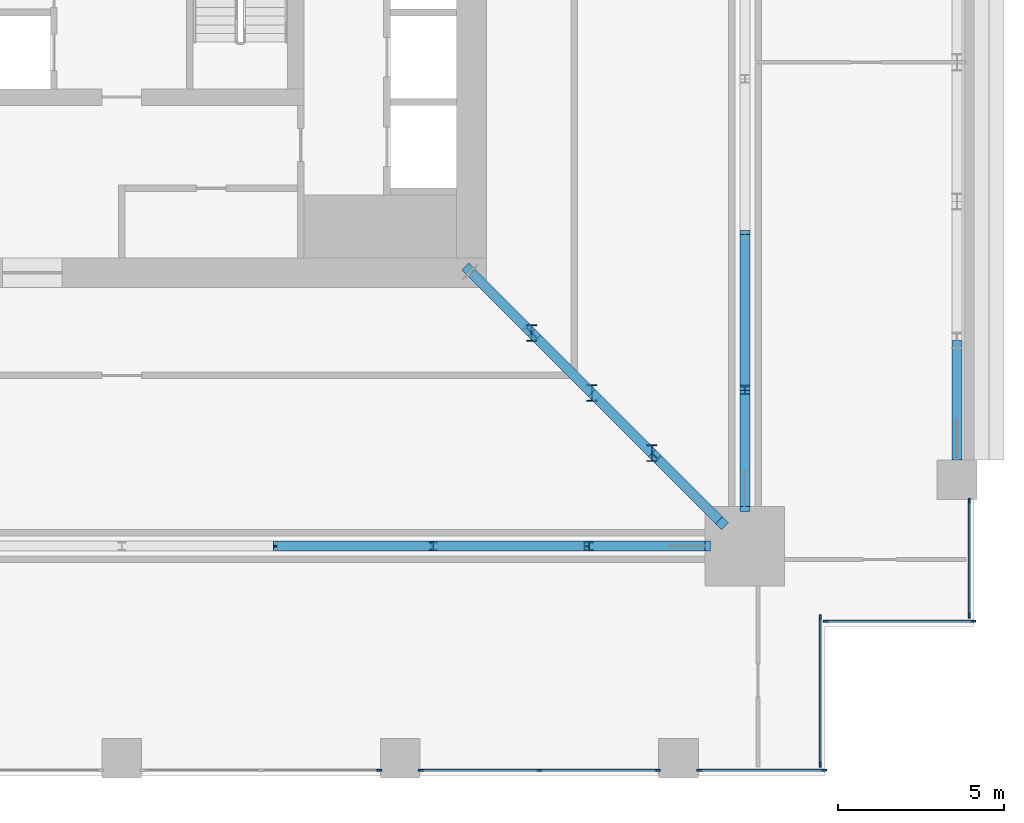
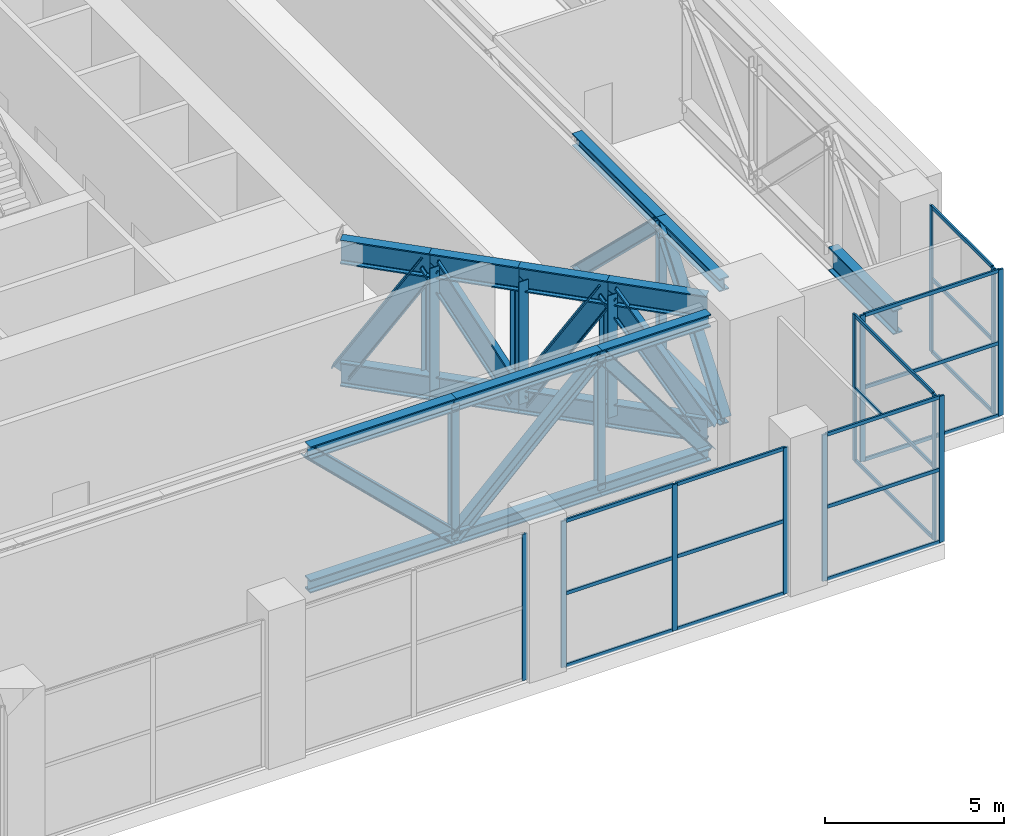
# One storey, part 5 of 21: 64 members, 6 elements without a shape of their own.
"""IFC4 building model written with IfcOpenShell, lengths in metres."""

from ifc_helpers import new_model, si_unit, direction, frame, origin, origin_2d, place, context, subcontext, project, spatial, rectangle, i_section, extrude, material, material_profile, profile_set, type_object, element, aggregate, save


model = new_model("IFC4")

# Units and contexts
model_context = context("Model", 3, precision=1e-05, world=origin(), true_north=direction((0.0, 1.0)))
body_context = subcontext(model_context, "Body", "Model", "MODEL_VIEW")
ifc_project = project(units=[si_unit("LENGTHUNIT", "METRE"), si_unit("AREAUNIT", "SQUARE_METRE"), si_unit("VOLUMEUNIT", "CUBIC_METRE"), si_unit("PLANEANGLEUNIT", "RADIAN"), si_unit("MASSUNIT", "GRAM", prefix="KILO")], contexts=[model_context])

# Site, building, storey
site_placement = place(None, origin())
site = spatial("IfcSite", under=ifc_project, at=site_placement, CompositionType="ELEMENT")
building_placement = place(site_placement, origin())
building = spatial("IfcBuilding", under=site, at=building_placement, Name="Khepri Terraces", CompositionType="ELEMENT")
storey_placement = place(building_placement, frame((0.0, 0.0, 235.199951171875)))
storey = spatial("IfcBuildingStorey", under=building, at=storey_placement, Name="L56", CompositionType="ELEMENT", Elevation=235.199951171875)

# Members
ifc_material_1 = material(Name="Steel S355", Category="steel")
ifc_material_profile_1 = material_profile(ifc_material_1, i_section(OverallWidth=0.306884765625, OverallDepth=0.431884765625, WebThickness=0.02099609375, FlangeThickness=0.0400390625, FilletRadius=0.027099609375, at=origin_2d()), Name="Steel S355", Category="steel")
ifc_profile_set_1 = profile_set([ifc_material_profile_1], Name="Steel S355")
member_type_1 = type_object("IfcMemberType", Name="Belt truss chord HEM 400", PredefinedType="CHORD", material=ifc_profile_set_1)
for number, where, z_axis, x_axis, name in (
    (1, (4.699951171875, -18.800048828125, 0.216064453125), (1.0, 0.0, 0.0), (0.0, 1.0, 0.0), "Belt truss chord BT-56-S bottom 6"),
    (2, (4.699951171875, -18.800048828125, 4.76416015625), (1.0, 0.0, 0.0), (0.0, 1.0, 0.0), "Belt truss chord BT-56-S top 6"),
):
    element("IfcMember", number, at=place(storey_placement, frame(where, z_axis=z_axis, x_axis=x_axis)), inside=storey, type_object=member_type_1, Name=name, PredefinedType="CHORD", context=body_context, shape_type="SweptSolid", body=[
        extrude(i_section(OverallWidth=0.306884765625, OverallDepth=0.431884765625, WebThickness=0.02099609375, FlangeThickness=0.0400390625, FilletRadius=0.027099609375, at=origin_2d()), origin(), (0.0, 0.0, 1.0), 4.699951171875),
    ])
for number, where, z_axis, x_axis, name in (
    (3, (9.39990234375, -18.800048828125, 0.216064453125), (1.0, 0.0, 0.0), (0.0, 1.0, 0.0), "Belt truss chord BT-56-S bottom 7"),
    (4, (9.39990234375, -18.800048828125, 4.76416015625), (1.0, 0.0, 0.0), (0.0, 1.0, 0.0), "Belt truss chord BT-56-S top 7"),
):
    element("IfcMember", number, at=place(storey_placement, frame(where, z_axis=z_axis, x_axis=x_axis)), inside=storey, type_object=member_type_1, Name=name, PredefinedType="CHORD", context=body_context, shape_type="SweptSolid", body=[
        extrude(i_section(OverallWidth=0.306884765625, OverallDepth=0.431884765625, WebThickness=0.02099609375, FlangeThickness=0.0400390625, FilletRadius=0.027099609375, at=origin_2d()), origin(), (0.0, 0.0, 1.0), 4.7001953125),
    ])
for number, where, z_axis, x_axis, name in (
    (5, (14.10009765625, -18.800048828125, 0.216064453125), (1.0, 0.0, 0.0), (0.0, 1.0, 0.0), "Belt truss chord BT-56-S bottom 8"),
    (6, (14.10009765625, -18.800048828125, 4.76416015625), (1.0, 0.0, 0.0), (0.0, 1.0, 0.0), "Belt truss chord BT-56-S top 8"),
    (7, (18.800048828125, -17.60009765625, 0.216064453125), (0.0, 1.0, 0.0), (-1.0, 0.0, 0.0), "Belt truss chord BT-56-E bottom 1"),
    (8, (18.800048828125, -17.60009765625, 4.76416015625), (0.0, 1.0, 0.0), (-1.0, 0.0, 0.0), "Belt truss chord BT-56-E top 1"),
):
    element("IfcMember", number, at=place(storey_placement, frame(where, z_axis=z_axis, x_axis=x_axis)), inside=storey, type_object=member_type_1, Name=name, PredefinedType="CHORD", context=body_context, shape_type="SweptSolid", body=[
        extrude(i_section(OverallWidth=0.306884765625, OverallDepth=0.431884765625, WebThickness=0.02099609375, FlangeThickness=0.0400390625, FilletRadius=0.027099609375, at=origin_2d()), origin(), (0.0, 0.0, 1.0), 3.5),
    ])
for number, where, z_axis, x_axis, name in (
    (9, (18.800048828125, -14.10009765625, 0.216064453125), (0.0, 1.0, 0.0), (-1.0, 0.0, 0.0), "Belt truss chord BT-56-E bottom 2"),
    (10, (18.800048828125, -14.10009765625, 4.76416015625), (0.0, 1.0, 0.0), (-1.0, 0.0, 0.0), "Belt truss chord BT-56-E top 2"),
):
    element("IfcMember", number, at=place(storey_placement, frame(where, z_axis=z_axis, x_axis=x_axis)), inside=storey, type_object=member_type_1, Name=name, PredefinedType="CHORD", context=body_context, shape_type="SweptSolid", body=[
        extrude(i_section(OverallWidth=0.306884765625, OverallDepth=0.431884765625, WebThickness=0.02099609375, FlangeThickness=0.0400390625, FilletRadius=0.027099609375, at=origin_2d()), origin(), (0.0, 0.0, 1.0), 4.7001953125),
    ])
ifc_material_profile_2 = material_profile(ifc_material_1, i_section(OverallWidth=0.300048828125, OverallDepth=0.39990234375, WebThickness=0.013427734375, FlangeThickness=0.02392578125, FilletRadius=0.027099609375, at=origin_2d()), Name="Steel S355", Category="steel")
ifc_profile_set_2 = profile_set([ifc_material_profile_2], Name="Steel S355")
member_type_2 = type_object("IfcMemberType", Name="Belt truss diagonal HEB 400", PredefinedType="BRACE", material=ifc_profile_set_2)
member_1_placement = place(storey_placement, frame((4.699951171875, -18.800048828125, 4.76416015625), z_axis=(0.718620795984, 0.0, -0.695402150974), x_axis=(0.0, 1.0, 0.0)))
element("IfcMember", 11, at=member_1_placement, inside=storey, type_object=member_type_2, Name="Belt truss diagonal BT-56-S 6", PredefinedType="BRACE", context=body_context, shape_type="SweptSolid", body=[
    extrude(i_section(OverallWidth=0.300048828125, OverallDepth=0.39990234375, WebThickness=0.013427734375, FlangeThickness=0.02392578125, FilletRadius=0.027099609375, at=origin_2d()), origin(), (0.0, 0.0, 1.0), 6.540283203125),
])
member_2_placement = place(storey_placement, frame((9.39990234375, -18.800048828125, 0.216064453125), z_axis=(0.718638846976, 0.0, 0.695383496796), x_axis=(0.0, 1.0, 0.0)))
element("IfcMember", 12, at=member_2_placement, inside=storey, type_object=member_type_2, Name="Belt truss diagonal BT-56-S 7", PredefinedType="BRACE", context=body_context, shape_type="SweptSolid", body=[
    extrude(i_section(OverallWidth=0.300048828125, OverallDepth=0.39990234375, WebThickness=0.013427734375, FlangeThickness=0.02392578125, FilletRadius=0.027099609375, at=origin_2d()), origin(), (0.0, 0.0, 1.0), 6.54052734375),
])
for number, where, z_axis, x_axis, name in (
    (13, (14.10009765625, -18.800048828125, 4.76416015625), (0.609871108259, 0.0, -0.792500619123), (0.0, 1.0, 0.0), "Belt truss diagonal BT-56-S 8"),
    (14, (18.800048828125, -17.60009765625, 0.216064453125), (0.0, 0.609871108259, 0.792500619123), (-1.0, 0.0, 0.0), "Belt truss diagonal BT-56-E 1"),
):
    element("IfcMember", number, at=place(storey_placement, frame(where, z_axis=z_axis, x_axis=x_axis)), inside=storey, type_object=member_type_2, Name=name, PredefinedType="BRACE", context=body_context, shape_type="SweptSolid", body=[
        extrude(i_section(OverallWidth=0.300048828125, OverallDepth=0.39990234375, WebThickness=0.013427734375, FlangeThickness=0.02392578125, FilletRadius=0.027099609375, at=origin_2d()), origin(), (0.0, 0.0, 1.0), 5.739013671875),
    ])
member_3_placement = place(storey_placement, frame((18.800048828125, -14.10009765625, 4.76416015625), z_axis=(0.0, 0.718638846976, -0.695383496796), x_axis=(-1.0, 0.0, 0.0)))
element("IfcMember", 15, at=member_3_placement, inside=storey, type_object=member_type_2, Name="Belt truss diagonal BT-56-E 2", PredefinedType="BRACE", context=body_context, shape_type="SweptSolid", body=[
    extrude(i_section(OverallWidth=0.300048828125, OverallDepth=0.39990234375, WebThickness=0.013427734375, FlangeThickness=0.02392578125, FilletRadius=0.027099609375, at=origin_2d()), origin(), (0.0, 0.0, 1.0), 6.54052734375),
])
ifc_material_profile_3 = material_profile(ifc_material_1, i_section(OverallWidth=0.239990234375, OverallDepth=0.239990234375, WebThickness=0.010009765625, FlangeThickness=0.01708984375, FilletRadius=0.02099609375, at=origin_2d()), Name="Steel S355", Category="steel")
ifc_profile_set_3 = profile_set([ifc_material_profile_3], Name="Steel S355")
member_type_3 = type_object("IfcMemberType", Name="Belt truss post HEB 240", PredefinedType="POST", material=ifc_profile_set_3)
for number, where, z_axis, x_axis, name in (
    (16, (9.39990234375, -18.800048828125, 0.216064453125), (0.0, 0.0, 1.0), (1.0, 0.0, 0.0), "Belt truss post BT-56-S 6"),
    (17, (14.10009765625, -18.800048828125, 0.216064453125), (0.0, 0.0, 1.0), (1.0, 0.0, 0.0), "Belt truss post BT-56-S 7"),
    (18, (18.800048828125, -14.10009765625, 0.216064453125), (0.0, 0.0, 1.0), (1.0, 0.0, 0.0), "Belt truss post BT-56-E 1"),
):
    element("IfcMember", number, at=place(storey_placement, frame(where, z_axis=z_axis, x_axis=x_axis)), inside=storey, type_object=member_type_3, Name=name, PredefinedType="POST", context=body_context, shape_type="SweptSolid", body=[
        extrude(i_section(OverallWidth=0.239990234375, OverallDepth=0.239990234375, WebThickness=0.010009765625, FlangeThickness=0.01708984375, FilletRadius=0.02099609375, at=origin_2d()), origin(), (0.0, 0.0, 1.0), 4.548095703125),
    ])

# Curtain wall, members
ifc_material_2 = material(Name="Anodised aluminium bronze curtain wall", Category="aluminium")
curtain_wall_type = type_object("IfcCurtainWallType", Name="CW-SYS3-SKY", PredefinedType="NOTDEFINED", material=ifc_material_2)
curtain_wall_1_placement = place(storey_placement, origin())
curtain_wall_1 = element("IfcCurtainWall", 19, at=curtain_wall_1_placement, inside=storey, type_object=curtain_wall_type, Name="Curtain wall CW3 L56 E", PredefinedType="NOTDEFINED")
ifc_material_3 = material(Name="Anodised aluminium bronze", Category="aluminium")
ifc_material_profile_4 = material_profile(ifc_material_3, rectangle(XDim=0.06005859375, YDim=0.159912109375, at=origin_2d()), Name="Anodised aluminium bronze", Category="aluminium")
ifc_profile_set_4 = profile_set([ifc_material_profile_4], Name="Anodised aluminium bronze")
member_type_4 = type_object("IfcMemberType", Name="CW-MULLION-60x160", PredefinedType="MULLION", material=ifc_profile_set_4)
member_4_placement = place(storey_placement, frame((25.570068359375, -20.889892578125, 0.0), z_axis=(0.0, 0.0, 1.0), x_axis=(-1.0, 0.0, 0.0)))
member_4 = element("IfcMember", 20, at=member_4_placement, type_object=member_type_4, Name="CW3 mullion 1", PredefinedType="MULLION", context=body_context, shape_type="SweptSolid", body=[
    extrude(rectangle(XDim=0.06005859375, YDim=0.159912109375, at=origin_2d()), origin(), (0.0, 0.0, 1.0), 4.97998046875),
])
member_5_placement = place(storey_placement, frame((25.570068359375, -17.429931640625, 0.0), z_axis=(0.0, 0.0, 1.0), x_axis=(-1.0, 0.0, 0.0)))
member_5 = element("IfcMember", 21, at=member_5_placement, type_object=member_type_4, Name="CW3 mullion 2", PredefinedType="MULLION", context=body_context, shape_type="SweptSolid", body=[
    extrude(rectangle(XDim=0.06005859375, YDim=0.159912109375, at=origin_2d()), origin(), (0.0, 0.0, 1.0), 4.97998046875),
])

# Curtain wall, member
curtain_wall_2_placement = place(storey_placement, origin())
curtain_wall_2 = element("IfcCurtainWall", 22, at=curtain_wall_2_placement, inside=storey, type_object=curtain_wall_type, Name="Curtain wall CW3 L56 S", PredefinedType="NOTDEFINED")
member_6_placement = place(storey_placement, frame((7.77001953125, -25.570068359375, 0.0), z_axis=(0.0, 0.0, 1.0), x_axis=(0.0, 1.0, 0.0)))
member_6 = element("IfcMember", 23, at=member_6_placement, type_object=member_type_4, Name="CW3 mullion 3", PredefinedType="MULLION", context=body_context, shape_type="SweptSolid", body=[
    extrude(rectangle(XDim=0.06005859375, YDim=0.159912109375, at=origin_2d()), origin(), (0.0, 0.0, 1.0), 4.97998046875),
])
aggregate(curtain_wall_2, [member_6])

# Curtain wall, members
curtain_wall_3_placement = place(storey_placement, origin())
curtain_wall_3 = element("IfcCurtainWall", 24, at=curtain_wall_3_placement, inside=storey, type_object=curtain_wall_type, Name="Curtain wall CW3 L56 S", PredefinedType="NOTDEFINED")
member_7_placement = place(storey_placement, frame((9.030029296875, -25.570068359375, 0.0), z_axis=(0.0, 0.0, 1.0), x_axis=(0.0, 1.0, 0.0)))
member_7 = element("IfcMember", 25, at=member_7_placement, type_object=member_type_4, Name="CW3 mullion 1", PredefinedType="MULLION", context=body_context, shape_type="SweptSolid", body=[
    extrude(rectangle(XDim=0.06005859375, YDim=0.159912109375, at=origin_2d()), origin(), (0.0, 0.0, 1.0), 4.97998046875),
])
member_8_placement = place(storey_placement, frame((12.60009765625, -25.570068359375, 0.0), z_axis=(0.0, 0.0, 1.0), x_axis=(0.0, 1.0, 0.0)))
member_8 = element("IfcMember", 26, at=member_8_placement, type_object=member_type_4, Name="CW3 mullion 2", PredefinedType="MULLION", context=body_context, shape_type="SweptSolid", body=[
    extrude(rectangle(XDim=0.06005859375, YDim=0.159912109375, at=origin_2d()), origin(), (0.0, 0.0, 1.0), 4.97998046875),
])
member_9_placement = place(storey_placement, frame((16.169921875, -25.570068359375, 0.0), z_axis=(0.0, 0.0, 1.0), x_axis=(0.0, 1.0, 0.0)))
member_9 = element("IfcMember", 27, at=member_9_placement, type_object=member_type_4, Name="CW3 mullion 3", PredefinedType="MULLION", context=body_context, shape_type="SweptSolid", body=[
    extrude(rectangle(XDim=0.06005859375, YDim=0.159912109375, at=origin_2d()), origin(), (0.0, 0.0, 1.0), 4.97998046875),
])

curtain_wall_4_placement = place(storey_placement, origin())
curtain_wall_4 = element("IfcCurtainWall", 28, at=curtain_wall_4_placement, inside=storey, type_object=curtain_wall_type, Name="Curtain wall CW3 L56 S", PredefinedType="NOTDEFINED")
member_10_placement = place(storey_placement, frame((17.429931640625, -25.570068359375, 0.0), z_axis=(0.0, 0.0, 1.0), x_axis=(0.0, 1.0, 0.0)))
member_10 = element("IfcMember", 29, at=member_10_placement, type_object=member_type_4, Name="CW3 mullion 1", PredefinedType="MULLION", context=body_context, shape_type="SweptSolid", body=[
    extrude(rectangle(XDim=0.06005859375, YDim=0.159912109375, at=origin_2d()), origin(), (0.0, 0.0, 1.0), 4.97998046875),
])
member_11_placement = place(storey_placement, frame((21.18994140625, -25.570068359375, 0.0), z_axis=(0.0, 0.0, 1.0), x_axis=(0.0, 1.0, 0.0)))
member_11 = element("IfcMember", 30, at=member_11_placement, type_object=member_type_4, Name="CW3 mullion 2", PredefinedType="MULLION", context=body_context, shape_type="SweptSolid", body=[
    extrude(rectangle(XDim=0.06005859375, YDim=0.159912109375, at=origin_2d()), origin(), (0.0, 0.0, 1.0), 4.97998046875),
])

curtain_wall_5_placement = place(storey_placement, origin())
curtain_wall_5 = element("IfcCurtainWall", 31, at=curtain_wall_5_placement, inside=storey, type_object=curtain_wall_type, Name="Curtain wall CW3 L56 E", PredefinedType="NOTDEFINED")
member_12_placement = place(storey_placement, frame((21.070068359375, -25.389892578125, 0.0), z_axis=(0.0, 0.0, 1.0), x_axis=(-1.0, 0.0, 0.0)))
member_12 = element("IfcMember", 32, at=member_12_placement, type_object=member_type_4, Name="CW3 mullion 1", PredefinedType="MULLION", context=body_context, shape_type="SweptSolid", body=[
    extrude(rectangle(XDim=0.06005859375, YDim=0.159912109375, at=origin_2d()), origin(), (0.0, 0.0, 1.0), 4.97998046875),
])
member_13_placement = place(storey_placement, frame((21.070068359375, -20.949951171875, 0.0), z_axis=(0.0, 0.0, 1.0), x_axis=(-1.0, 0.0, 0.0)))
member_13 = element("IfcMember", 33, at=member_13_placement, type_object=member_type_4, Name="CW3 mullion 2", PredefinedType="MULLION", context=body_context, shape_type="SweptSolid", body=[
    extrude(rectangle(XDim=0.06005859375, YDim=0.159912109375, at=origin_2d()), origin(), (0.0, 0.0, 1.0), 4.97998046875),
])

curtain_wall_6_placement = place(storey_placement, origin())
curtain_wall_6 = element("IfcCurtainWall", 34, at=curtain_wall_6_placement, inside=storey, type_object=curtain_wall_type, Name="Curtain wall CW3 L56 S", PredefinedType="NOTDEFINED")
member_14_placement = place(storey_placement, frame((21.25, -21.070068359375, 0.0), z_axis=(0.0, 0.0, 1.0), x_axis=(0.0, 1.0, 0.0)))
member_14 = element("IfcMember", 35, at=member_14_placement, type_object=member_type_4, Name="CW3 mullion 1", PredefinedType="MULLION", context=body_context, shape_type="SweptSolid", body=[
    extrude(rectangle(XDim=0.06005859375, YDim=0.159912109375, at=origin_2d()), origin(), (0.0, 0.0, 1.0), 4.97998046875),
])
member_15_placement = place(storey_placement, frame((25.68994140625, -21.070068359375, 0.0), z_axis=(0.0, 0.0, 1.0), x_axis=(0.0, 1.0, 0.0)))
member_15 = element("IfcMember", 36, at=member_15_placement, type_object=member_type_4, Name="CW3 mullion 2", PredefinedType="MULLION", context=body_context, shape_type="SweptSolid", body=[
    extrude(rectangle(XDim=0.06005859375, YDim=0.159912109375, at=origin_2d()), origin(), (0.0, 0.0, 1.0), 4.97998046875),
])

# Member
ifc_material_profile_5 = material_profile(ifc_material_3, rectangle(XDim=0.06005859375, YDim=0.1201171875, at=origin_2d()), Name="Anodised aluminium bronze", Category="aluminium")
ifc_profile_set_5 = profile_set([ifc_material_profile_5], Name="Anodised aluminium bronze")
member_type_5 = type_object("IfcMemberType", Name="CW-TRANSOM-60x120", PredefinedType="USERDEFINED", material=ifc_profile_set_5)
member_16_placement = place(storey_placement, frame((25.570068359375, -20.860107421875, 0.030029296875), z_axis=(0.0, 1.0, 0.0), x_axis=(-1.0, 0.0, 0.0)))
member_16 = element("IfcMember", 37, at=member_16_placement, type_object=member_type_5, Name="CW3 transom 1.1", ObjectType="TRANSOM", PredefinedType="USERDEFINED", context=body_context, shape_type="SweptSolid", body=[
    extrude(rectangle(XDim=0.06005859375, YDim=0.1201171875, at=origin_2d()), origin(), (0.0, 0.0, 1.0), 3.400146484375),
])

member_17_placement = place(storey_placement, frame((25.570068359375, -20.860107421875, 2.489990234375), z_axis=(0.0, 1.0, 0.0), x_axis=(-1.0, 0.0, 0.0)))
member_17 = element("IfcMember", 38, at=member_17_placement, type_object=member_type_5, Name="CW3 transom 1.2", ObjectType="TRANSOM", PredefinedType="USERDEFINED", context=body_context, shape_type="SweptSolid", body=[
    extrude(rectangle(XDim=0.06005859375, YDim=0.1201171875, at=origin_2d()), origin(), (0.0, 0.0, 1.0), 3.400146484375),
])

member_18_placement = place(storey_placement, frame((25.570068359375, -20.860107421875, 4.949951171875), z_axis=(0.0, 1.0, 0.0), x_axis=(-1.0, 0.0, 0.0)))
member_18 = element("IfcMember", 39, at=member_18_placement, type_object=member_type_5, Name="CW3 transom 1.3", ObjectType="TRANSOM", PredefinedType="USERDEFINED", context=body_context, shape_type="SweptSolid", body=[
    extrude(rectangle(XDim=0.06005859375, YDim=0.1201171875, at=origin_2d()), origin(), (0.0, 0.0, 1.0), 3.400146484375),
])

aggregate(curtain_wall_1, [member_4, member_5, member_16, member_17, member_18])

member_19_placement = place(storey_placement, frame((9.06005859375, -25.570068359375, 0.030029296875), z_axis=(1.0, 0.0, 0.0), x_axis=(0.0, 1.0, 0.0)))
member_19 = element("IfcMember", 40, at=member_19_placement, type_object=member_type_5, Name="CW3 transom 1.1", ObjectType="TRANSOM", PredefinedType="USERDEFINED", context=body_context, shape_type="SweptSolid", body=[
    extrude(rectangle(XDim=0.06005859375, YDim=0.1201171875, at=origin_2d()), origin(), (0.0, 0.0, 1.0), 3.510009765625),
])

member_20_placement = place(storey_placement, frame((9.06005859375, -25.570068359375, 2.489990234375), z_axis=(1.0, 0.0, 0.0), x_axis=(0.0, 1.0, 0.0)))
member_20 = element("IfcMember", 41, at=member_20_placement, type_object=member_type_5, Name="CW3 transom 1.2", ObjectType="TRANSOM", PredefinedType="USERDEFINED", context=body_context, shape_type="SweptSolid", body=[
    extrude(rectangle(XDim=0.06005859375, YDim=0.1201171875, at=origin_2d()), origin(), (0.0, 0.0, 1.0), 3.510009765625),
])

member_21_placement = place(storey_placement, frame((9.06005859375, -25.570068359375, 4.949951171875), z_axis=(1.0, 0.0, 0.0), x_axis=(0.0, 1.0, 0.0)))
member_21 = element("IfcMember", 42, at=member_21_placement, type_object=member_type_5, Name="CW3 transom 1.3", ObjectType="TRANSOM", PredefinedType="USERDEFINED", context=body_context, shape_type="SweptSolid", body=[
    extrude(rectangle(XDim=0.06005859375, YDim=0.1201171875, at=origin_2d()), origin(), (0.0, 0.0, 1.0), 3.510009765625),
])

member_22_placement = place(storey_placement, frame((12.6298828125, -25.570068359375, 0.030029296875), z_axis=(1.0, 0.0, 0.0), x_axis=(0.0, 1.0, 0.0)))
member_22 = element("IfcMember", 43, at=member_22_placement, type_object=member_type_5, Name="CW3 transom 2.1", ObjectType="TRANSOM", PredefinedType="USERDEFINED", context=body_context, shape_type="SweptSolid", body=[
    extrude(rectangle(XDim=0.06005859375, YDim=0.1201171875, at=origin_2d()), origin(), (0.0, 0.0, 1.0), 3.510009765625),
])

member_23_placement = place(storey_placement, frame((12.6298828125, -25.570068359375, 2.489990234375), z_axis=(1.0, 0.0, 0.0), x_axis=(0.0, 1.0, 0.0)))
member_23 = element("IfcMember", 44, at=member_23_placement, type_object=member_type_5, Name="CW3 transom 2.2", ObjectType="TRANSOM", PredefinedType="USERDEFINED", context=body_context, shape_type="SweptSolid", body=[
    extrude(rectangle(XDim=0.06005859375, YDim=0.1201171875, at=origin_2d()), origin(), (0.0, 0.0, 1.0), 3.510009765625),
])

member_24_placement = place(storey_placement, frame((12.6298828125, -25.570068359375, 4.949951171875), z_axis=(1.0, 0.0, 0.0), x_axis=(0.0, 1.0, 0.0)))
member_24 = element("IfcMember", 45, at=member_24_placement, type_object=member_type_5, Name="CW3 transom 2.3", ObjectType="TRANSOM", PredefinedType="USERDEFINED", context=body_context, shape_type="SweptSolid", body=[
    extrude(rectangle(XDim=0.06005859375, YDim=0.1201171875, at=origin_2d()), origin(), (0.0, 0.0, 1.0), 3.510009765625),
])

aggregate(curtain_wall_3, [member_7, member_8, member_9, member_19, member_20, member_21, member_22, member_23, member_24])

member_25_placement = place(storey_placement, frame((17.4599609375, -25.570068359375, 0.030029296875), z_axis=(1.0, 0.0, 0.0), x_axis=(0.0, 1.0, 0.0)))
member_25 = element("IfcMember", 46, at=member_25_placement, type_object=member_type_5, Name="CW3 transom 1.1", ObjectType="TRANSOM", PredefinedType="USERDEFINED", context=body_context, shape_type="SweptSolid", body=[
    extrude(rectangle(XDim=0.06005859375, YDim=0.1201171875, at=origin_2d()), origin(), (0.0, 0.0, 1.0), 3.699951171875),
])

member_26_placement = place(storey_placement, frame((17.4599609375, -25.570068359375, 2.489990234375), z_axis=(1.0, 0.0, 0.0), x_axis=(0.0, 1.0, 0.0)))
member_26 = element("IfcMember", 47, at=member_26_placement, type_object=member_type_5, Name="CW3 transom 1.2", ObjectType="TRANSOM", PredefinedType="USERDEFINED", context=body_context, shape_type="SweptSolid", body=[
    extrude(rectangle(XDim=0.06005859375, YDim=0.1201171875, at=origin_2d()), origin(), (0.0, 0.0, 1.0), 3.699951171875),
])

member_27_placement = place(storey_placement, frame((17.4599609375, -25.570068359375, 4.949951171875), z_axis=(1.0, 0.0, 0.0), x_axis=(0.0, 1.0, 0.0)))
member_27 = element("IfcMember", 48, at=member_27_placement, type_object=member_type_5, Name="CW3 transom 1.3", ObjectType="TRANSOM", PredefinedType="USERDEFINED", context=body_context, shape_type="SweptSolid", body=[
    extrude(rectangle(XDim=0.06005859375, YDim=0.1201171875, at=origin_2d()), origin(), (0.0, 0.0, 1.0), 3.699951171875),
])

aggregate(curtain_wall_4, [member_10, member_11, member_25, member_26, member_27])

member_28_placement = place(storey_placement, frame((21.070068359375, -25.360107421875, 0.030029296875), z_axis=(0.0, 1.0, 0.0), x_axis=(-1.0, 0.0, 0.0)))
member_28 = element("IfcMember", 49, at=member_28_placement, type_object=member_type_5, Name="CW3 transom 1.1", ObjectType="TRANSOM", PredefinedType="USERDEFINED", context=body_context, shape_type="SweptSolid", body=[
    extrude(rectangle(XDim=0.06005859375, YDim=0.1201171875, at=origin_2d()), origin(), (0.0, 0.0, 1.0), 4.380126953125),
])

member_29_placement = place(storey_placement, frame((21.070068359375, -25.360107421875, 2.489990234375), z_axis=(0.0, 1.0, 0.0), x_axis=(-1.0, 0.0, 0.0)))
member_29 = element("IfcMember", 50, at=member_29_placement, type_object=member_type_5, Name="CW3 transom 1.2", ObjectType="TRANSOM", PredefinedType="USERDEFINED", context=body_context, shape_type="SweptSolid", body=[
    extrude(rectangle(XDim=0.06005859375, YDim=0.1201171875, at=origin_2d()), origin(), (0.0, 0.0, 1.0), 4.380126953125),
])

member_30_placement = place(storey_placement, frame((21.070068359375, -25.360107421875, 4.949951171875), z_axis=(0.0, 1.0, 0.0), x_axis=(-1.0, 0.0, 0.0)))
member_30 = element("IfcMember", 51, at=member_30_placement, type_object=member_type_5, Name="CW3 transom 1.3", ObjectType="TRANSOM", PredefinedType="USERDEFINED", context=body_context, shape_type="SweptSolid", body=[
    extrude(rectangle(XDim=0.06005859375, YDim=0.1201171875, at=origin_2d()), origin(), (0.0, 0.0, 1.0), 4.380126953125),
])

aggregate(curtain_wall_5, [member_12, member_13, member_28, member_29, member_30])

member_31_placement = place(storey_placement, frame((21.280029296875, -21.070068359375, 0.030029296875), z_axis=(1.0, 0.0, 0.0), x_axis=(0.0, 1.0, 0.0)))
member_31 = element("IfcMember", 52, at=member_31_placement, type_object=member_type_5, Name="CW3 transom 1.1", ObjectType="TRANSOM", PredefinedType="USERDEFINED", context=body_context, shape_type="SweptSolid", body=[
    extrude(rectangle(XDim=0.06005859375, YDim=0.1201171875, at=origin_2d()), origin(), (0.0, 0.0, 1.0), 4.3798828125),
])

member_32_placement = place(storey_placement, frame((21.280029296875, -21.070068359375, 2.489990234375), z_axis=(1.0, 0.0, 0.0), x_axis=(0.0, 1.0, 0.0)))
member_32 = element("IfcMember", 53, at=member_32_placement, type_object=member_type_5, Name="CW3 transom 1.2", ObjectType="TRANSOM", PredefinedType="USERDEFINED", context=body_context, shape_type="SweptSolid", body=[
    extrude(rectangle(XDim=0.06005859375, YDim=0.1201171875, at=origin_2d()), origin(), (0.0, 0.0, 1.0), 4.3798828125),
])

member_33_placement = place(storey_placement, frame((21.280029296875, -21.070068359375, 4.949951171875), z_axis=(1.0, 0.0, 0.0), x_axis=(0.0, 1.0, 0.0)))
member_33 = element("IfcMember", 54, at=member_33_placement, type_object=member_type_5, Name="CW3 transom 1.3", ObjectType="TRANSOM", PredefinedType="USERDEFINED", context=body_context, shape_type="SweptSolid", body=[
    extrude(rectangle(XDim=0.06005859375, YDim=0.1201171875, at=origin_2d()), origin(), (0.0, 0.0, 1.0), 4.3798828125),
])

aggregate(curtain_wall_6, [member_14, member_15, member_31, member_32, member_33])

# Members
ifc_material_profile_6 = material_profile(ifc_material_1, i_section(OverallWidth=0.302978515625, OverallDepth=0.81396484375, WebThickness=0.02099609375, FlangeThickness=0.0400390625, FilletRadius=0.030029296875, at=origin_2d()), Name="Steel S355", Category="steel")
ifc_profile_set_6 = profile_set([ifc_material_profile_6], Name="Steel S355")
member_type_6 = type_object("IfcMemberType", Name="Outrigger chord HEM 800", PredefinedType="CHORD", material=ifc_profile_set_6)
for number, where, z_axis, x_axis, name in (
    (55, (10.550048828125, -10.550048828125, 0.406982421875), (0.707106781187, -0.707106781187, 0.0), (0.707106781187, 0.707106781187, 0.0), "Outrigger chord OT-56-ES bottom 1"),
    (56, (10.550048828125, -10.550048828125, 4.572998046875), (0.707106781187, -0.707106781187, 0.0), (0.707106781187, 0.707106781187, 0.0), "Outrigger chord OT-56-ES top 1"),
):
    element("IfcMember", number, at=place(storey_placement, frame(where, z_axis=z_axis, x_axis=x_axis)), inside=storey, type_object=member_type_6, Name=name, PredefinedType="CHORD", context=body_context, shape_type="SweptSolid", body=[
        extrude(i_section(OverallWidth=0.302978515625, OverallDepth=0.81396484375, WebThickness=0.02099609375, FlangeThickness=0.0400390625, FilletRadius=0.030029296875, at=origin_2d()), origin(), (0.0, 0.0, 1.0), 2.5673828125),
    ])
for number, where, z_axis, x_axis, name in (
    (57, (12.365478515625, -12.365478515625, 0.406982421875), (0.707106781187, -0.707106781187, 0.0), (0.707106781187, 0.707106781187, 0.0), "Outrigger chord OT-56-ES bottom 2"),
    (58, (12.365478515625, -12.365478515625, 4.572998046875), (0.707106781187, -0.707106781187, 0.0), (0.707106781187, 0.707106781187, 0.0), "Outrigger chord OT-56-ES top 2"),
):
    element("IfcMember", number, at=place(storey_placement, frame(where, z_axis=z_axis, x_axis=x_axis)), inside=storey, type_object=member_type_6, Name=name, PredefinedType="CHORD", context=body_context, shape_type="SweptSolid", body=[
        extrude(i_section(OverallWidth=0.302978515625, OverallDepth=0.81396484375, WebThickness=0.02099609375, FlangeThickness=0.0400390625, FilletRadius=0.030029296875, at=origin_2d()), origin(), (0.0, 0.0, 1.0), 2.56787109375),
    ])
for number, where, z_axis, x_axis, name in (
    (59, (14.18115234375, -14.18115234375, 0.406982421875), (0.707106781187, -0.707106781187, 0.0), (0.707106781187, 0.707106781187, 0.0), "Outrigger chord OT-56-ES bottom 3"),
    (60, (14.18115234375, -14.18115234375, 4.572998046875), (0.707106781187, -0.707106781187, 0.0), (0.707106781187, 0.707106781187, 0.0), "Outrigger chord OT-56-ES top 3"),
):
    element("IfcMember", number, at=place(storey_placement, frame(where, z_axis=z_axis, x_axis=x_axis)), inside=storey, type_object=member_type_6, Name=name, PredefinedType="CHORD", context=body_context, shape_type="SweptSolid", body=[
        extrude(i_section(OverallWidth=0.302978515625, OverallDepth=0.81396484375, WebThickness=0.02099609375, FlangeThickness=0.0400390625, FilletRadius=0.030029296875, at=origin_2d()), origin(), (0.0, 0.0, 1.0), 2.5673828125),
    ])
for number, where, z_axis, x_axis, name in (
    (61, (15.99658203125, -15.99658203125, 0.406982421875), (0.707106781187, -0.707106781187, 0.0), (0.707106781187, 0.707106781187, 0.0), "Outrigger chord OT-56-ES bottom 4"),
    (62, (15.99658203125, -15.99658203125, 4.572998046875), (0.707106781187, -0.707106781187, 0.0), (0.707106781187, 0.707106781187, 0.0), "Outrigger chord OT-56-ES top 4"),
):
    element("IfcMember", number, at=place(storey_placement, frame(where, z_axis=z_axis, x_axis=x_axis)), inside=storey, type_object=member_type_6, Name=name, PredefinedType="CHORD", context=body_context, shape_type="SweptSolid", body=[
        extrude(i_section(OverallWidth=0.302978515625, OverallDepth=0.81396484375, WebThickness=0.02099609375, FlangeThickness=0.0400390625, FilletRadius=0.030029296875, at=origin_2d()), origin(), (0.0, 0.0, 1.0), 2.86474609375),
    ])
ifc_material_profile_7 = material_profile(ifc_material_1, i_section(OverallWidth=0.304931640625, OverallDepth=0.6201171875, WebThickness=0.02099609375, FlangeThickness=0.0400390625, FilletRadius=0.027099609375, at=origin_2d()), Name="Steel S355", Category="steel")
ifc_profile_set_7 = profile_set([ifc_material_profile_7], Name="Steel S355")
member_type_7 = type_object("IfcMemberType", Name="Outrigger diagonal HEM 600", PredefinedType="BRACE", material=ifc_profile_set_7)
member_34_placement = place(storey_placement, frame((10.550048828125, -10.550048828125, 0.406982421875), z_axis=(0.370980902903, -0.370980902903, 0.85132035061), x_axis=(0.707106781187, 0.707106781187, 0.0)))
element("IfcMember", 63, at=member_34_placement, inside=storey, type_object=member_type_7, Name="Outrigger diagonal OT-56-ES 1", PredefinedType="BRACE", context=body_context, shape_type="SweptSolid", body=[
    extrude(i_section(OverallWidth=0.304931640625, OverallDepth=0.6201171875, WebThickness=0.02099609375, FlangeThickness=0.0400390625, FilletRadius=0.027099609375, at=origin_2d()), origin(), (0.0, 0.0, 1.0), 4.8935546875),
])
member_35_placement = place(storey_placement, frame((12.365478515625, -12.365478515625, 4.572998046875), z_axis=(0.371017058379, -0.371017058379, -0.851288837459), x_axis=(0.707106781187, 0.707106781187, 0.0)))
element("IfcMember", 64, at=member_35_placement, inside=storey, type_object=member_type_7, Name="Outrigger diagonal OT-56-ES 2", PredefinedType="BRACE", context=body_context, shape_type="SweptSolid", body=[
    extrude(i_section(OverallWidth=0.304931640625, OverallDepth=0.6201171875, WebThickness=0.02099609375, FlangeThickness=0.0400390625, FilletRadius=0.027099609375, at=origin_2d()), origin(), (0.0, 0.0, 1.0), 4.893798828125),
])
member_36_placement = place(storey_placement, frame((14.18115234375, -14.18115234375, 0.406982421875), z_axis=(0.370980902903, -0.370980902903, 0.85132035061), x_axis=(0.707106781187, 0.707106781187, 0.0)))
element("IfcMember", 65, at=member_36_placement, inside=storey, type_object=member_type_7, Name="Outrigger diagonal OT-56-ES 3", PredefinedType="BRACE", context=body_context, shape_type="SweptSolid", body=[
    extrude(i_section(OverallWidth=0.304931640625, OverallDepth=0.6201171875, WebThickness=0.02099609375, FlangeThickness=0.0400390625, FilletRadius=0.027099609375, at=origin_2d()), origin(), (0.0, 0.0, 1.0), 4.8935546875),
])
member_37_placement = place(storey_placement, frame((15.99658203125, -15.99658203125, 4.572998046875), z_axis=(0.400648073883, -0.400648073883, -0.823991651528), x_axis=(0.707106781187, 0.707106781187, 0.0)))
element("IfcMember", 66, at=member_37_placement, inside=storey, type_object=member_type_7, Name="Outrigger diagonal OT-56-ES 4", PredefinedType="BRACE", context=body_context, shape_type="SweptSolid", body=[
    extrude(i_section(OverallWidth=0.304931640625, OverallDepth=0.6201171875, WebThickness=0.02099609375, FlangeThickness=0.0400390625, FilletRadius=0.027099609375, at=origin_2d()), origin(), (0.0, 0.0, 1.0), 5.055908203125),
])
ifc_material_profile_8 = material_profile(ifc_material_1, i_section(OverallWidth=0.300048828125, OverallDepth=0.5, WebThickness=0.014404296875, FlangeThickness=0.028076171875, FilletRadius=0.027099609375, at=origin_2d()), Name="Steel S355", Category="steel")
ifc_profile_set_8 = profile_set([ifc_material_profile_8], Name="Steel S355")
member_type_8 = type_object("IfcMemberType", Name="Outrigger post HEB 500", PredefinedType="POST", material=ifc_profile_set_8)
for number, where, z_axis, x_axis, name in (
    (67, (12.365478515625, -12.365478515625, 0.406982421875), (0.0, 0.0, 1.0), (1.0, 0.0, 0.0), "Outrigger post OT-56-ES 1"),
    (68, (14.18115234375, -14.18115234375, 0.406982421875), (0.0, 0.0, 1.0), (1.0, 0.0, 0.0), "Outrigger post OT-56-ES 2"),
    (69, (15.99658203125, -15.99658203125, 0.406982421875), (0.0, 0.0, 1.0), (1.0, 0.0, 0.0), "Outrigger post OT-56-ES 3"),
):
    element("IfcMember", number, at=place(storey_placement, frame(where, z_axis=z_axis, x_axis=x_axis)), inside=storey, type_object=member_type_8, Name=name, PredefinedType="POST", context=body_context, shape_type="SweptSolid", body=[
        extrude(i_section(OverallWidth=0.300048828125, OverallDepth=0.5, WebThickness=0.014404296875, FlangeThickness=0.028076171875, FilletRadius=0.027099609375, at=origin_2d()), origin(), (0.0, 0.0, 1.0), 4.166015625),
    ])
ifc_material_profile_9 = material_profile(ifc_material_1, i_section(OverallWidth=0.302978515625, OverallDepth=0.81396484375, WebThickness=0.02099609375, FlangeThickness=0.0400390625, FilletRadius=0.030029296875, at=origin_2d()), Name="Steel S355", Category="steel")
ifc_profile_set_9 = profile_set([ifc_material_profile_9], Name="Steel S355")
member_type_9 = type_object("IfcMemberType", Name="Transfer truss chord HEM 800", PredefinedType="CHORD", material=ifc_profile_set_9)
member_38_placement = place(storey_placement, frame((25.199951171875, -16.199951171875, 0.406982421875), z_axis=(0.0, 1.0, 0.0), x_axis=(-1.0, 0.0, 0.0)))
element("IfcMember", 70, at=member_38_placement, inside=storey, type_object=member_type_9, Name="Transfer truss chord TT-56-E bottom 1", PredefinedType="CHORD", context=body_context, shape_type="SweptSolid", body=[
    extrude(i_section(OverallWidth=0.302978515625, OverallDepth=0.81396484375, WebThickness=0.02099609375, FlangeThickness=0.0400390625, FilletRadius=0.030029296875, at=origin_2d()), origin(), (0.0, 0.0, 1.0), 3.599853515625),
])

save(model, "model.ifc")
